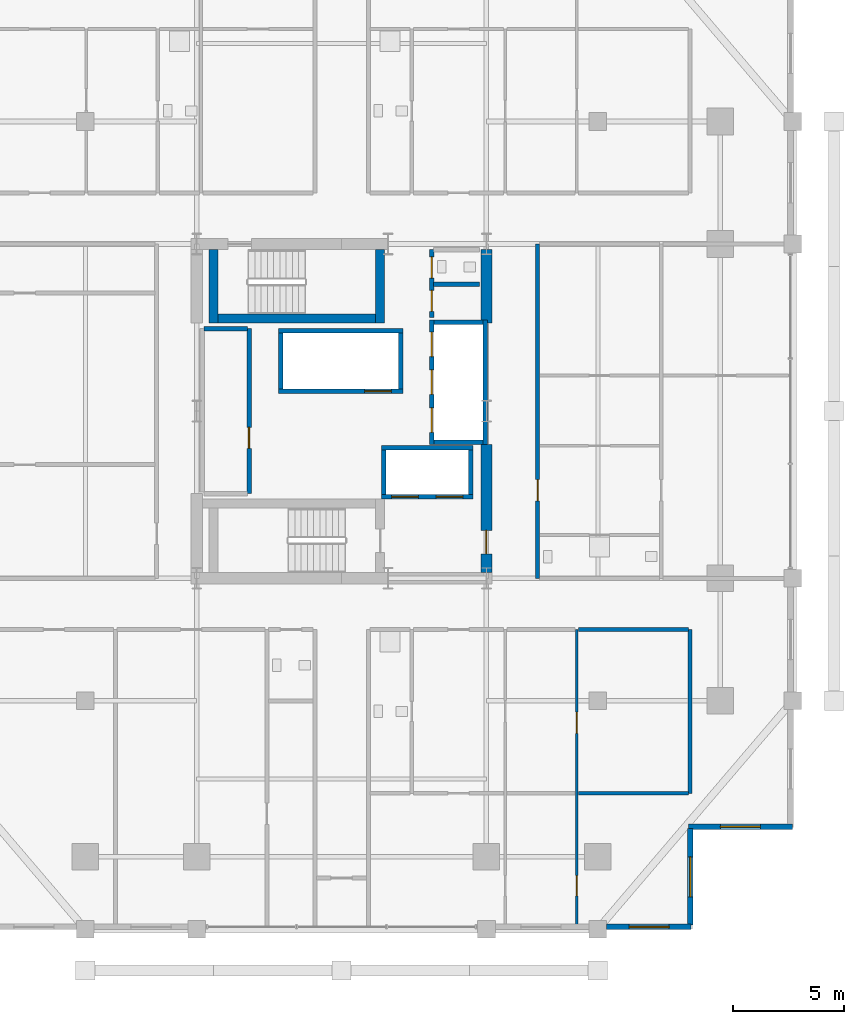
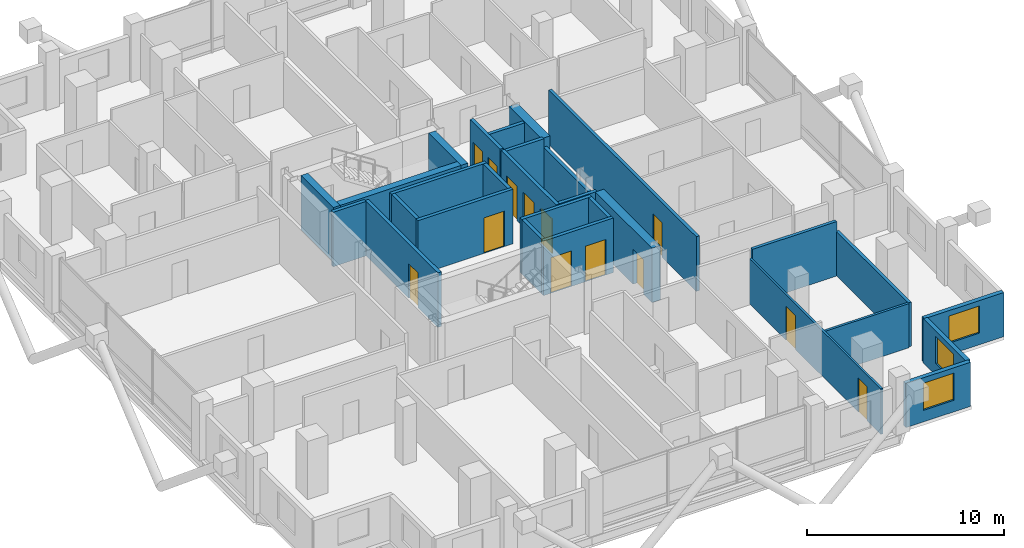
# One storey, part 18 of 23: 29 walls, 13 doors, 3 windows, 16 openings.
"""IFC4 building model written with IfcOpenShell, lengths in metres."""

from ifc_helpers import new_model, si_unit, direction, frame, frame_2d, origin, place, context, subcontext, project, spatial, rectangle, extrude, material, layer, layer_set, type_object, element, fill, save


model = new_model("IFC4")

# Units and contexts
model_context = context("Model", 3, precision=1e-05, world=origin(), true_north=direction((0.0, 1.0)))
body_context = subcontext(model_context, "Body", "Model", "MODEL_VIEW")
ifc_project = project(units=[si_unit("LENGTHUNIT", "METRE"), si_unit("AREAUNIT", "SQUARE_METRE"), si_unit("VOLUMEUNIT", "CUBIC_METRE"), si_unit("PLANEANGLEUNIT", "RADIAN"), si_unit("MASSUNIT", "GRAM", prefix="KILO")], contexts=[model_context])

# Site, building, storey
site_placement = place(None, origin())
site = spatial("IfcSite", under=ifc_project, at=site_placement, CompositionType="ELEMENT")
building_placement = place(site_placement, origin())
building = spatial("IfcBuilding", under=site, at=building_placement, Name="Barlavira Tower and Art Museum", CompositionType="ELEMENT")
storey_placement = place(building_placement, frame((0.0, 0.0, 151.199951171875)))
storey = spatial("IfcBuildingStorey", under=building, at=storey_placement, Name="L38", CompositionType="ELEMENT", Elevation=151.199951171875)

# Wall, openings, doors
ifc_material_1 = material(Name="Gypsum acoustic stud partition", Category="gypsum")
ifc_layer_1 = layer(ifc_material_1, 0.1201171875, Name="Gypsum acoustic stud partition")
ifc_layer_set_1 = layer_set([ifc_layer_1], Name="Gypsum acoustic stud partition")
wall_type_1 = type_object("IfcWallType", Name="Apartment Internal Acoustic Partition 120", PredefinedType="PARTITIONING", material=ifc_layer_set_1)
wall_1_placement = place(storey_placement, frame((10.550048828125, -23.14990234375, 0.0), z_axis=(0.0, 0.0, 1.0), x_axis=(0.0, 1.0, 0.0)))
wall_1 = element("IfcWall", 1, at=wall_1_placement, inside=storey, type_object=wall_type_1, Name="L38 Partition Wall 20", PredefinedType="PARTITIONING", context=body_context, shape_type="SweptSolid", body=[
    extrude(rectangle(XDim=13.349853515625, YDim=0.1201171875, at=frame_2d((6.6748046875, 0.0))), origin(), (0.0, 0.0, 1.0), 2.816162109375),
])
opening_1_placement = place(wall_1_placement, frame((8.686767578125, 0.0, 0.0)))
opening_1 = element("IfcOpeningElement", 2, at=opening_1_placement, cuts=wall_1, Name="Opening D-02", PredefinedType="OPENING", context=body_context, shape_type="SweptSolid", body=[
    extrude(rectangle(XDim=0.949951171875, YDim=2.10009765625, at=frame_2d((0.47509765625, 1.050048828125))), frame((0.0, 0.070068359375, 0.0), z_axis=(0.0, -1.0, 0.0), x_axis=(1.0, 0.0, 0.0)), (0.0, 0.0, 1.0), 0.14013671875),
])
opening_2_placement = place(wall_1_placement, frame((1.39892578125, 0.0, 0.0)))
opening_2 = element("IfcOpeningElement", 3, at=opening_2_placement, cuts=wall_1, Name="Opening D-01", PredefinedType="OPENING", context=body_context, shape_type="SweptSolid", body=[
    extrude(rectangle(XDim=0.89990234375, YDim=2.10009765625, at=frame_2d((0.449951171875, 1.050048828125))), frame((0.0, 0.070068359375, 0.0), z_axis=(0.0, -1.0, 0.0), x_axis=(1.0, 0.0, 0.0)), (0.0, 0.0, 1.0), 0.14013671875),
])
ifc_material_2 = material(Name="Engineered coastal hardwood", Category="wood")
door_type_1 = type_object("IfcDoorType", Name="Internal Bedroom Timber Flush Door 900x2100", OperationType="NOTDEFINED", PredefinedType="DOOR", material=ifc_material_2)
door_1_placement = place(opening_2_placement, origin())
door_1 = element("IfcDoor", 4, at=door_1_placement, inside=storey, type_object=door_type_1, Name="Apartment SE1 Bedroom 2 Door", OperationType="SINGLE_SWING_LEFT", OverallHeight=2.10009765625, OverallWidth=0.89990234375, PredefinedType="DOOR", context=body_context, shape_type="SweptSolid", body=[
    extrude(rectangle(XDim=0.89990234375, YDim=2.10009765625, at=frame_2d((0.449951171875, 1.050048828125))), frame((0.0, 0.02490234375, 0.0), z_axis=(0.0, -1.0, 0.0), x_axis=(1.0, 0.0, 0.0)), (0.0, 0.0, 1.0), 0.050048828125),
])
fill(opening_2, door_1)
door_type_2 = type_object("IfcDoorType", Name="Living and Salon Glazed-Leaf Door 950x2100", OperationType="NOTDEFINED", PredefinedType="DOOR", material=ifc_material_2)
door_2_placement = place(opening_1_placement, origin())
door_2 = element("IfcDoor", 5, at=door_2_placement, inside=storey, type_object=door_type_2, Name="Apartment SE1 Dining Salon Door", OperationType="SINGLE_SWING_RIGHT", OverallHeight=2.10009765625, OverallWidth=0.949951171875, PredefinedType="DOOR", context=body_context, shape_type="SweptSolid", body=[
    extrude(rectangle(XDim=0.949951171875, YDim=2.10009765625, at=frame_2d((0.47509765625, 1.050048828125))), frame((0.0, 0.02490234375, 0.0), z_axis=(0.0, -1.0, 0.0), x_axis=(1.0, 0.0, 0.0)), (0.0, 0.0, 1.0), 0.050048828125),
])
fill(opening_1, door_2)

# Wall, opening, door
ifc_material_3 = material(Name="Concrete C60", Category="concrete")
ifc_layer_2 = layer(ifc_material_3, 0.5, Name="Concrete C60")
ifc_layer_set_2 = layer_set([ifc_layer_2], Name="Concrete C60")
wall_type_2 = type_object("IfcWallType", Name="Core Structural Shear Wall 500 Concrete C60", PredefinedType="SHEAR", material=ifc_layer_set_2)
wall_2_placement = place(storey_placement, frame((6.5, -7.25, 0.0), z_axis=(0.0, 0.0, 1.0), x_axis=(0.0, 1.0, 0.0)))
wall_2 = element("IfcWall", 6, at=wall_2_placement, inside=storey, type_object=wall_type_2, Name="L38 Core Shear Wall CS-E1", PredefinedType="SHEAR", context=body_context, shape_type="SweptSolid", body=[
    extrude(rectangle(XDim=5.75, YDim=0.5, at=frame_2d((2.875, 0.0))), origin(), (0.0, 0.0, 1.0), 3.380126953125),
])
opening_3_placement = place(wall_2_placement, frame((0.85009765625, 0.0, 0.0)))
opening_3 = element("IfcOpeningElement", 7, at=opening_3_placement, cuts=wall_2, Name="Opening FD-90", PredefinedType="OPENING", context=body_context, shape_type="SweptSolid", body=[
    extrude(rectangle(XDim=1.050048828125, YDim=2.14990234375, at=frame_2d((0.52490234375, 1.074951171875))), frame((0.0, 0.260009765625, 0.0), z_axis=(0.0, -1.0, 0.0), x_axis=(1.0, 0.0, 0.0)), (0.0, 0.0, 1.0), 0.52001953125),
])
ifc_material_4 = material(Name="Brushed stainless steel", Category="steel")
door_type_3 = type_object("IfcDoorType", Name="Stair and Refuge Fire Door 1050x2150 FD90S", OperationType="NOTDEFINED", PredefinedType="DOOR", material=ifc_material_4)
door_3_placement = place(opening_3_placement, origin())
door_3 = element("IfcDoor", 8, at=door_3_placement, inside=storey, type_object=door_type_3, Name="L38 Firefighting Lobby Entry Fire Door", OperationType="SINGLE_SWING_LEFT", OverallHeight=2.14990234375, OverallWidth=1.050048828125, PredefinedType="DOOR", context=body_context, shape_type="SweptSolid", body=[
    extrude(rectangle(XDim=1.050048828125, YDim=2.14990234375, at=frame_2d((0.52490234375, 1.074951171875))), frame((0.0, 0.02490234375, 0.0), z_axis=(0.0, -1.0, 0.0), x_axis=(1.0, 0.0, 0.0)), (0.0, 0.0, 1.0), 0.050048828125),
])
fill(opening_3, door_3)

# Wall
wall_3_placement = place(storey_placement, frame((6.5, 3.949951171875, 0.0), z_axis=(0.0, 0.0, 1.0), x_axis=(0.0, 1.0, 0.0)))
element("IfcWall", 9, at=wall_3_placement, inside=storey, type_object=wall_type_2, Name="L38 Core Shear Wall CS-E2", PredefinedType="SHEAR", context=body_context, shape_type="SweptSolid", body=[
    extrude(rectangle(XDim=3.300048828125, YDim=0.5, at=frame_2d((1.64990234375, 0.0))), origin(), (0.0, 0.0, 1.0), 3.380126953125),
])

# Wall, openings, doors
ifc_material_5 = material(Name="Autoclaved aerated concrete masonry", Category="masonry")
ifc_layer_3 = layer(ifc_material_5, 0.199951171875, Name="Autoclaved aerated concrete masonry")
ifc_layer_set_3 = layer_set([ifc_layer_3], Name="Autoclaved aerated concrete masonry")
wall_type_3 = type_object("IfcWallType", Name="Fire Compartment and Shaft Wall 200", PredefinedType="SOLIDWALL", material=ifc_layer_set_3)
wall_4_placement = place(storey_placement, frame((4.050048828125, -1.489990234375, 0.0), z_axis=(0.0, 0.0, 1.0), x_axis=(0.0, 1.0, 0.0)))
wall_4 = element("IfcWall", 10, at=wall_4_placement, inside=storey, type_object=wall_type_3, Name="L38 Mid-Rise Lift Front Shaft Wall", PredefinedType="SOLIDWALL", context=body_context, shape_type="SweptSolid", body=[
    extrude(rectangle(XDim=5.580078125, YDim=0.199951171875, at=frame_2d((2.7900390625, 0.0))), origin(), (0.0, 0.0, 1.0), 3.380126953125),
])
opening_4_placement = place(wall_4_placement, frame((0.5400390625, 0.0, 0.0)))
opening_4 = element("IfcOpeningElement", 11, at=opening_4_placement, cuts=wall_4, Name="Opening LD-P", PredefinedType="OPENING", context=body_context, shape_type="SweptSolid", body=[
    extrude(rectangle(XDim=1.10009765625, YDim=2.14990234375, at=frame_2d((0.550048828125, 1.074951171875))), frame((0.0, 0.10986328125, 0.0), z_axis=(0.0, -1.0, 0.0), x_axis=(1.0, 0.0, 0.0)), (0.0, 0.0, 1.0), 0.219970703125),
])
opening_5_placement = place(wall_4_placement, frame((2.239990234375, 0.0, 0.0)))
opening_5 = element("IfcOpeningElement", 12, at=opening_5_placement, cuts=wall_4, Name="Opening LD-P", PredefinedType="OPENING", context=body_context, shape_type="SweptSolid", body=[
    extrude(rectangle(XDim=1.10009765625, YDim=2.14990234375, at=frame_2d((0.550048828125, 1.074951171875))), frame((0.0, 0.10986328125, 0.0), z_axis=(0.0, -1.0, 0.0), x_axis=(1.0, 0.0, 0.0)), (0.0, 0.0, 1.0), 0.219970703125),
])
opening_6_placement = place(wall_4_placement, frame((3.93994140625, 0.0, 0.0)))
opening_6 = element("IfcOpeningElement", 13, at=opening_6_placement, cuts=wall_4, Name="Opening LD-P", PredefinedType="OPENING", context=body_context, shape_type="SweptSolid", body=[
    extrude(rectangle(XDim=1.10009765625, YDim=2.14990234375, at=frame_2d((0.550048828125, 1.074951171875))), frame((0.0, 0.10986328125, 0.0), z_axis=(0.0, -1.0, 0.0), x_axis=(1.0, 0.0, 0.0)), (0.0, 0.0, 1.0), 0.219970703125),
])
door_type_4 = type_object("IfcDoorType", Name="Passenger Lift Sliding Landing Door 1100x2150 FD60", OperationType="NOTDEFINED", PredefinedType="DOOR", material=ifc_material_4)
door_4_placement = place(opening_4_placement, origin())
door_4 = element("IfcDoor", 14, at=door_4_placement, inside=storey, type_object=door_type_4, Name="L38 Lift PM1 Sliding Landing Door", OperationType="DOUBLE_DOOR_SLIDING", OverallHeight=2.14990234375, OverallWidth=1.10009765625, PredefinedType="DOOR", context=body_context, shape_type="SweptSolid", body=[
    extrude(rectangle(XDim=1.10009765625, YDim=2.14990234375, at=frame_2d((0.550048828125, 1.074951171875))), frame((0.0, 0.02490234375, 0.0), z_axis=(0.0, -1.0, 0.0), x_axis=(1.0, 0.0, 0.0)), (0.0, 0.0, 1.0), 0.050048828125),
])
fill(opening_4, door_4)
door_5_placement = place(opening_5_placement, origin())
door_5 = element("IfcDoor", 15, at=door_5_placement, inside=storey, type_object=door_type_4, Name="L38 Lift PM2 Sliding Landing Door", OperationType="DOUBLE_DOOR_SLIDING", OverallHeight=2.14990234375, OverallWidth=1.10009765625, PredefinedType="DOOR", context=body_context, shape_type="SweptSolid", body=[
    extrude(rectangle(XDim=1.10009765625, YDim=2.14990234375, at=frame_2d((0.550048828125, 1.074951171875))), frame((0.0, 0.02490234375, 0.0), z_axis=(0.0, -1.0, 0.0), x_axis=(1.0, 0.0, 0.0)), (0.0, 0.0, 1.0), 0.050048828125),
])
fill(opening_5, door_5)
door_6_placement = place(opening_6_placement, origin())
door_6 = element("IfcDoor", 16, at=door_6_placement, inside=storey, type_object=door_type_4, Name="L38 Lift PM3 Sliding Landing Door", OperationType="DOUBLE_DOOR_SLIDING", OverallHeight=2.14990234375, OverallWidth=1.10009765625, PredefinedType="DOOR", context=body_context, shape_type="SweptSolid", body=[
    extrude(rectangle(XDim=1.10009765625, YDim=2.14990234375, at=frame_2d((0.550048828125, 1.074951171875))), frame((0.0, 0.02490234375, 0.0), z_axis=(0.0, -1.0, 0.0), x_axis=(1.0, 0.0, 0.0)), (0.0, 0.0, 1.0), 0.050048828125),
])
fill(opening_6, door_6)

# Walls
wall_5_placement = place(storey_placement, frame((6.449951171875, -1.489990234375, 0.0), z_axis=(0.0, 0.0, 1.0), x_axis=(0.0, 1.0, 0.0)))
element("IfcWall", 17, at=wall_5_placement, inside=storey, type_object=wall_type_3, Name="L38 Mid-Rise Lift Back Shaft Wall", PredefinedType="SOLIDWALL", context=body_context, shape_type="SweptSolid", body=[
    extrude(rectangle(XDim=5.580078125, YDim=0.199951171875, at=frame_2d((2.7900390625, 0.0))), origin(), (0.0, 0.0, 1.0), 2.816162109375),
])
for number, where, z_axis, x_axis, name in (
    (18, (4.14990234375, -1.389892578125, 0.0), (0.0, 0.0, 1.0), (1.0, 0.0, 0.0), "L38 Mid-Rise Lift South Shaft Wall"),
    (19, (4.14990234375, 3.989990234375, 0.0), (0.0, 0.0, 1.0), (1.0, 0.0, 0.0), "L38 Mid-Rise Lift North Shaft Wall"),
):
    element("IfcWall", number, at=place(storey_placement, frame(where, z_axis=z_axis, x_axis=x_axis)), inside=storey, type_object=wall_type_3, Name=name, PredefinedType="SOLIDWALL", context=body_context, shape_type="SweptSolid", body=[
        extrude(rectangle(XDim=2.2001953125, YDim=0.199951171875, at=frame_2d((1.10009765625, 0.0))), origin(), (0.0, 0.0, 1.0), 3.380126953125),
    ])

# Wall, opening, door
wall_6_placement = place(storey_placement, frame((-2.820068359375, 0.89990234375, 0.0), z_axis=(0.0, 0.0, 1.0), x_axis=(1.0, 0.0, 0.0)))
wall_6 = element("IfcWall", 20, at=wall_6_placement, inside=storey, type_object=wall_type_3, Name="L38 High-Rise & Service Lift Front Wall", PredefinedType="SOLIDWALL", context=body_context, shape_type="SweptSolid", body=[
    extrude(rectangle(XDim=5.580078125, YDim=0.199951171875, at=frame_2d((2.7900390625, 0.0))), origin(), (0.0, 0.0, 1.0), 3.380126953125),
])
opening_7_placement = place(wall_6_placement, frame((3.860107421875, 0.0, 0.0)))
opening_7 = element("IfcOpeningElement", 21, at=opening_7_placement, cuts=wall_6, Name="Opening LD-F", PredefinedType="OPENING", context=body_context, shape_type="SweptSolid", body=[
    extrude(rectangle(XDim=1.199951171875, YDim=2.199951171875, at=frame_2d((0.60009765625, 1.10009765625))), frame((0.0, 0.10986328125, 0.0), z_axis=(0.0, -1.0, 0.0), x_axis=(1.0, 0.0, 0.0)), (0.0, 0.0, 1.0), 0.219970703125),
])
door_type_5 = type_object("IfcDoorType", Name="Firefighting and Service Lift Sliding Door 1200x2200 FD120", OperationType="NOTDEFINED", PredefinedType="DOOR", material=ifc_material_4)
door_7_placement = place(opening_7_placement, origin())
door_7 = element("IfcDoor", 22, at=door_7_placement, inside=storey, type_object=door_type_5, Name="L38 Stretcher Service Lift SL1 Sliding Door", OperationType="DOUBLE_DOOR_SLIDING", OverallHeight=2.199951171875, OverallWidth=1.199951171875, PredefinedType="DOOR", context=body_context, shape_type="SweptSolid", body=[
    extrude(rectangle(XDim=1.199951171875, YDim=2.199951171875, at=frame_2d((0.60009765625, 1.10009765625))), frame((0.0, 0.02490234375, 0.0), z_axis=(0.0, -1.0, 0.0), x_axis=(1.0, 0.0, 0.0)), (0.0, 0.0, 1.0), 0.050048828125),
])
fill(opening_7, door_7)

# Walls
wall_7_placement = place(storey_placement, frame((-2.820068359375, 3.60009765625, 0.0), z_axis=(0.0, 0.0, 1.0), x_axis=(1.0, 0.0, 0.0)))
element("IfcWall", 23, at=wall_7_placement, inside=storey, type_object=wall_type_3, Name="L38 High-Rise & Service Lift Back Wall", PredefinedType="SOLIDWALL", context=body_context, shape_type="SweptSolid", body=[
    extrude(rectangle(XDim=5.580078125, YDim=0.199951171875, at=frame_2d((2.7900390625, 0.0))), origin(), (0.0, 0.0, 1.0), 3.380126953125),
])
for number, where, z_axis, x_axis, name in (
    (24, (-2.719970703125, 1.0, 0.0), (0.0, 0.0, 1.0), (0.0, 1.0, 0.0), "L38 High-Rise & Service Lift West Wall"),
    (25, (2.659912109375, 1.0, 0.0), (0.0, 0.0, 1.0), (0.0, 1.0, 0.0), "L38 High-Rise & Service Lift East Wall"),
):
    element("IfcWall", number, at=place(storey_placement, frame(where, z_axis=z_axis, x_axis=x_axis)), inside=storey, type_object=wall_type_3, Name=name, PredefinedType="SOLIDWALL", context=body_context, shape_type="SweptSolid", body=[
        extrude(rectangle(XDim=2.5, YDim=0.199951171875, at=frame_2d((1.25, 0.0))), origin(), (0.0, 0.0, 1.0), 3.380126953125),
    ])

# Wall, openings, doors
wall_8_placement = place(storey_placement, frame((1.800048828125, -3.85009765625, 0.0), z_axis=(0.0, 0.0, 1.0), x_axis=(1.0, 0.0, 0.0)))
wall_8 = element("IfcWall", 26, at=wall_8_placement, inside=storey, type_object=wall_type_3, Name="L38 Firefighting Lift Front Shaft Wall", PredefinedType="SOLIDWALL", context=body_context, shape_type="SweptSolid", body=[
    extrude(rectangle(XDim=4.099853515625, YDim=0.199951171875, at=frame_2d((2.0498046875, 0.0))), origin(), (0.0, 0.0, 1.0), 3.380126953125),
])
opening_8_placement = place(wall_8_placement, frame((0.449951171875, 0.0, 0.0)))
opening_8 = element("IfcOpeningElement", 27, at=opening_8_placement, cuts=wall_8, Name="Opening LD-F", PredefinedType="OPENING", context=body_context, shape_type="SweptSolid", body=[
    extrude(rectangle(XDim=1.199951171875, YDim=2.199951171875, at=frame_2d((0.60009765625, 1.10009765625))), frame((0.0, 0.10986328125, 0.0), z_axis=(0.0, -1.0, 0.0), x_axis=(1.0, 0.0, 0.0)), (0.0, 0.0, 1.0), 0.219970703125),
])
opening_9_placement = place(wall_8_placement, frame((2.449951171875, 0.0, 0.0)))
opening_9 = element("IfcOpeningElement", 28, at=opening_9_placement, cuts=wall_8, Name="Opening LD-F", PredefinedType="OPENING", context=body_context, shape_type="SweptSolid", body=[
    extrude(rectangle(XDim=1.199951171875, YDim=2.199951171875, at=frame_2d((0.60009765625, 1.10009765625))), frame((0.0, 0.10986328125, 0.0), z_axis=(0.0, -1.0, 0.0), x_axis=(1.0, 0.0, 0.0)), (0.0, 0.0, 1.0), 0.219970703125),
])
door_8_placement = place(opening_8_placement, origin())
door_8 = element("IfcDoor", 29, at=door_8_placement, inside=storey, type_object=door_type_5, Name="L38 Firefighting Lift FF1 Sliding Door", OperationType="DOUBLE_DOOR_SLIDING", OverallHeight=2.199951171875, OverallWidth=1.199951171875, PredefinedType="DOOR", context=body_context, shape_type="SweptSolid", body=[
    extrude(rectangle(XDim=1.199951171875, YDim=2.199951171875, at=frame_2d((0.60009765625, 1.10009765625))), frame((0.0, 0.02490234375, 0.0), z_axis=(0.0, -1.0, 0.0), x_axis=(1.0, 0.0, 0.0)), (0.0, 0.0, 1.0), 0.050048828125),
])
fill(opening_8, door_8)
door_9_placement = place(opening_9_placement, origin())
door_9 = element("IfcDoor", 30, at=door_9_placement, inside=storey, type_object=door_type_5, Name="L38 Firefighting Lift FF2 Sliding Door", OperationType="DOUBLE_DOOR_SLIDING", OverallHeight=2.199951171875, OverallWidth=1.199951171875, PredefinedType="DOOR", context=body_context, shape_type="SweptSolid", body=[
    extrude(rectangle(XDim=1.199951171875, YDim=2.199951171875, at=frame_2d((0.60009765625, 1.10009765625))), frame((0.0, 0.02490234375, 0.0), z_axis=(0.0, -1.0, 0.0), x_axis=(1.0, 0.0, 0.0)), (0.0, 0.0, 1.0), 0.050048828125),
])
fill(opening_9, door_9)

# Walls
wall_9_placement = place(storey_placement, frame((1.800048828125, -1.64990234375, 0.0), z_axis=(0.0, 0.0, 1.0), x_axis=(1.0, 0.0, 0.0)))
element("IfcWall", 31, at=wall_9_placement, inside=storey, type_object=wall_type_3, Name="L38 Firefighting Lift Back Shaft Wall", PredefinedType="SOLIDWALL", context=body_context, shape_type="SweptSolid", body=[
    extrude(rectangle(XDim=4.099853515625, YDim=0.199951171875, at=frame_2d((2.0498046875, 0.0))), origin(), (0.0, 0.0, 1.0), 3.380126953125),
])
for number, where, z_axis, x_axis, name in (
    (32, (1.89990234375, -3.75, 0.0), (0.0, 0.0, 1.0), (0.0, 1.0, 0.0), "L38 Firefighting Lift West Shaft Wall"),
    (33, (5.800048828125, -3.75, 0.0), (0.0, 0.0, 1.0), (0.0, 1.0, 0.0), "L38 Firefighting Lift East Shaft Wall"),
):
    element("IfcWall", number, at=place(storey_placement, frame(where, z_axis=z_axis, x_axis=x_axis)), inside=storey, type_object=wall_type_3, Name=name, PredefinedType="SOLIDWALL", context=body_context, shape_type="SweptSolid", body=[
        extrude(rectangle(XDim=2.0, YDim=0.199951171875, at=frame_2d((1.0, 0.0))), origin(), (0.0, 0.0, 1.0), 3.380126953125),
    ])

# Wall, opening, door
wall_10_placement = place(storey_placement, frame((-4.14990234375, -3.699951171875, 0.0), z_axis=(0.0, 0.0, 1.0), x_axis=(0.0, 1.0, 0.0)))
wall_10 = element("IfcWall", 34, at=wall_10_placement, inside=storey, type_object=wall_type_3, Name="L38 Partition Wall 8", PredefinedType="SOLIDWALL", context=body_context, shape_type="SweptSolid", body=[
    extrude(rectangle(XDim=7.39990234375, YDim=0.199951171875, at=frame_2d((3.699951171875, 0.0))), origin(), (0.0, 0.0, 1.0), 3.380126953125),
])
opening_10_placement = place(wall_10_placement, frame((2.02490234375, 0.0, 0.0)))
opening_10 = element("IfcOpeningElement", 35, at=opening_10_placement, cuts=wall_10, Name="Opening FD-60", PredefinedType="OPENING", context=body_context, shape_type="SweptSolid", body=[
    extrude(rectangle(XDim=0.949951171875, YDim=2.14990234375, at=frame_2d((0.47509765625, 1.074951171875))), frame((0.0, 0.10986328125, 0.0), z_axis=(0.0, -1.0, 0.0), x_axis=(1.0, 0.0, 0.0)), (0.0, 0.0, 1.0), 0.219970703125),
])
door_type_6 = type_object("IfcDoorType", Name="Apartment Entrance and Riser Fire Door 950x2150 FD60S", OperationType="NOTDEFINED", PredefinedType="DOOR", material=ifc_material_4)
door_10_placement = place(opening_10_placement, origin())
door_10 = element("IfcDoor", 36, at=door_10_placement, inside=storey, type_object=door_type_6, Name="Reclaimed Core Tenant Storage Vault Door", OperationType="SINGLE_SWING_LEFT", OverallHeight=2.14990234375, OverallWidth=0.949951171875, PredefinedType="DOOR", context=body_context, shape_type="SweptSolid", body=[
    extrude(rectangle(XDim=0.949951171875, YDim=2.14990234375, at=frame_2d((0.47509765625, 1.074951171875))), frame((0.0, 0.02490234375, 0.0), z_axis=(0.0, -1.0, 0.0), x_axis=(1.0, 0.0, 0.0)), (0.0, 0.0, 1.0), 0.050048828125),
])
fill(opening_10, door_10)

# Wall, openings, doors
wall_11_placement = place(storey_placement, frame((4.050048828125, 4.199951171875, 0.0), z_axis=(0.0, 0.0, 1.0), x_axis=(0.0, 1.0, 0.0)))
wall_11 = element("IfcWall", 37, at=wall_11_placement, inside=storey, type_object=wall_type_3, Name="L38 Partition Wall 16", PredefinedType="SOLIDWALL", context=body_context, shape_type="SweptSolid", body=[
    extrude(rectangle(XDim=3.050048828125, YDim=0.199951171875, at=frame_2d((1.52490234375, 0.0))), origin(), (0.0, 0.0, 1.0), 3.380126953125),
])
opening_11_placement = place(wall_11_placement, frame((0.27490234375, 0.0, 0.0)))
opening_11 = element("IfcOpeningElement", 38, at=opening_11_placement, cuts=wall_11, Name="Opening FD-60", PredefinedType="OPENING", context=body_context, shape_type="SweptSolid", body=[
    extrude(rectangle(XDim=0.949951171875, YDim=2.14990234375, at=frame_2d((0.47509765625, 1.074951171875))), frame((0.0, 0.10986328125, 0.0), z_axis=(0.0, -1.0, 0.0), x_axis=(1.0, 0.0, 0.0)), (0.0, 0.0, 1.0), 0.219970703125),
])
opening_12_placement = place(wall_11_placement, frame((1.77490234375, 0.0, 0.0)))
opening_12 = element("IfcOpeningElement", 39, at=opening_12_placement, cuts=wall_11, Name="Opening FD-60", PredefinedType="OPENING", context=body_context, shape_type="SweptSolid", body=[
    extrude(rectangle(XDim=0.949951171875, YDim=2.14990234375, at=frame_2d((0.47509765625, 1.074951171875))), frame((0.0, 0.10986328125, 0.0), z_axis=(0.0, -1.0, 0.0), x_axis=(1.0, 0.0, 0.0)), (0.0, 0.0, 1.0), 0.219970703125),
])
door_11_placement = place(opening_11_placement, origin())
door_11 = element("IfcDoor", 40, at=door_11_placement, inside=storey, type_object=door_type_6, Name="Electrical Switchgear Room Door", OperationType="SINGLE_SWING_RIGHT", OverallHeight=2.14990234375, OverallWidth=0.949951171875, PredefinedType="DOOR", context=body_context, shape_type="SweptSolid", body=[
    extrude(rectangle(XDim=0.949951171875, YDim=2.14990234375, at=frame_2d((0.47509765625, 1.074951171875))), frame((0.0, 0.02490234375, 0.0), z_axis=(0.0, -1.0, 0.0), x_axis=(1.0, 0.0, 0.0)), (0.0, 0.0, 1.0), 0.050048828125),
])
fill(opening_11, door_11)
door_12_placement = place(opening_12_placement, origin())
door_12 = element("IfcDoor", 41, at=door_12_placement, inside=storey, type_object=door_type_6, Name="Core Staff Toilet Door", OperationType="SINGLE_SWING_LEFT", OverallHeight=2.14990234375, OverallWidth=0.949951171875, PredefinedType="DOOR", context=body_context, shape_type="SweptSolid", body=[
    extrude(rectangle(XDim=0.949951171875, YDim=2.14990234375, at=frame_2d((0.47509765625, 1.074951171875))), frame((0.0, 0.02490234375, 0.0), z_axis=(0.0, -1.0, 0.0), x_axis=(1.0, 0.0, 0.0)), (0.0, 0.0, 1.0), 0.050048828125),
])
fill(opening_12, door_12)

# Walls
wall_12_placement = place(storey_placement, frame((-6.169921875, 3.699951171875, 0.0), z_axis=(0.0, 0.0, 1.0), x_axis=(1.0, 0.0, 0.0)))
element("IfcWall", 42, at=wall_12_placement, inside=storey, type_object=wall_type_3, Name="L38 Partition Wall 47", PredefinedType="SOLIDWALL", context=body_context, shape_type="SweptSolid", body=[
    extrude(rectangle(XDim=1.93994140625, YDim=0.199951171875, at=frame_2d((0.969970703125, 0.0))), origin(), (0.0, 0.0, 1.0), 3.380126953125),
])
wall_13_placement = place(storey_placement, frame((4.1298828125, 5.699951171875, 0.0), z_axis=(0.0, 0.0, 1.0), x_axis=(1.0, 0.0, 0.0)))
element("IfcWall", 43, at=wall_13_placement, inside=storey, type_object=wall_type_3, Name="L38 Partition Wall 49", PredefinedType="SOLIDWALL", context=body_context, shape_type="SweptSolid", body=[
    extrude(rectangle(XDim=2.070068359375, YDim=0.199951171875, at=frame_2d((1.03515625, 0.0))), origin(), (0.0, 0.0, 1.0), 3.380126953125),
])

# Wall, opening, door
ifc_layer_4 = layer(ifc_material_1, 0.179931640625, Name="Gypsum acoustic stud partition")
ifc_layer_set_4 = layer_set([ifc_layer_4], Name="Gypsum acoustic stud partition")
wall_type_4 = type_object("IfcWallType", Name="Inter-Tenancy Party Partition Wall 180", PredefinedType="PARTITIONING", material=ifc_layer_set_4)
wall_14_placement = place(storey_placement, frame((8.800048828125, -7.5, 0.0), z_axis=(0.0, 0.0, 1.0), x_axis=(0.0, 1.0, 0.0)))
wall_14 = element("IfcWall", 44, at=wall_14_placement, inside=storey, type_object=wall_type_4, Name="L38 Partition Wall 19", PredefinedType="PARTITIONING", context=body_context, shape_type="SweptSolid", body=[
    extrude(rectangle(XDim=15.0, YDim=0.179931640625, at=frame_2d((7.5, 0.0))), origin(), (0.0, 0.0, 1.0), 3.380126953125),
])
opening_13_placement = place(wall_14_placement, frame((3.47509765625, 0.0, 0.0)))
opening_13 = element("IfcOpeningElement", 45, at=opening_13_placement, cuts=wall_14, Name="Opening FD-60", PredefinedType="OPENING", context=body_context, shape_type="SweptSolid", body=[
    extrude(rectangle(XDim=0.949951171875, YDim=2.14990234375, at=frame_2d((0.47509765625, 1.074951171875))), frame((0.0, 0.10009765625, 0.0), z_axis=(0.0, -1.0, 0.0), x_axis=(1.0, 0.0, 0.0)), (0.0, 0.0, 1.0), 0.199951171875),
])
door_13_placement = place(opening_13_placement, origin())
door_13 = element("IfcDoor", 46, at=door_13_placement, inside=storey, type_object=door_type_6, Name="Apartment Entrance Hall E1 Door", OperationType="SINGLE_SWING_LEFT", OverallHeight=2.14990234375, OverallWidth=0.949951171875, PredefinedType="DOOR", context=body_context, shape_type="SweptSolid", body=[
    extrude(rectangle(XDim=0.949951171875, YDim=2.14990234375, at=frame_2d((0.47509765625, 1.074951171875))), frame((0.0, 0.02490234375, 0.0), z_axis=(0.0, -1.0, 0.0), x_axis=(1.0, 0.0, 0.0)), (0.0, 0.0, 1.0), 0.050048828125),
])
fill(opening_13, door_13)

# Walls
wall_15_placement = place(storey_placement, frame((15.64990234375, -17.14990234375, 0.0), z_axis=(0.0, 0.0, 1.0), x_axis=(0.0, 1.0, 0.0)))
element("IfcWall", 47, at=wall_15_placement, inside=storey, type_object=wall_type_4, Name="L38 Partition Wall 23", PredefinedType="PARTITIONING", context=body_context, shape_type="SweptSolid", body=[
    extrude(rectangle(XDim=7.349853515625, YDim=0.179931640625, at=frame_2d((3.6748046875, 0.0))), origin(), (0.0, 0.0, 1.0), 2.736083984375),
])
wall_16_placement = place(storey_placement, frame((10.6298828125, -9.800048828125, 0.0), z_axis=(0.0, 0.0, 1.0), x_axis=(1.0, 0.0, 0.0)))
element("IfcWall", 48, at=wall_16_placement, inside=storey, type_object=wall_type_4, Name="L38 Partition Wall 37", PredefinedType="PARTITIONING", context=body_context, shape_type="SweptSolid", body=[
    extrude(rectangle(XDim=4.940185546875, YDim=0.179931640625, at=frame_2d((2.47021484375, 0.0))), origin(), (0.0, 0.0, 1.0), 3.380126953125),
])
ifc_layer_5 = layer(ifc_material_1, 0.139892578125, Name="Gypsum acoustic stud partition")
ifc_layer_set_5 = layer_set([ifc_layer_5], Name="Gypsum acoustic stud partition")
wall_type_5 = type_object("IfcWallType", Name="Moisture-Resistant Bathroom Partition 140", PredefinedType="PARTITIONING", material=ifc_layer_set_5)
wall_17_placement = place(storey_placement, frame((10.6298828125, -17.14990234375, 0.0), z_axis=(0.0, 0.0, 1.0), x_axis=(1.0, 0.0, 0.0)))
element("IfcWall", 49, at=wall_17_placement, inside=storey, type_object=wall_type_5, Name="L38 Partition Wall 29", PredefinedType="PARTITIONING", context=body_context, shape_type="SweptSolid", body=[
    extrude(rectangle(XDim=4.940185546875, YDim=0.139892578125, at=frame_2d((2.47021484375, 0.0))), origin(), (0.0, 0.0, 1.0), 2.736083984375),
])

# Wall, opening, window
ifc_material_6 = material(Name="Precast concrete C40", Category="concrete")
ifc_layer_6 = layer(ifc_material_6, 0.25, Name="Precast concrete C40")
ifc_layer_set_6 = layer_set([ifc_layer_6], Name="Precast concrete C40")
wall_type_6 = type_object("IfcWallType", Name="Notched Corner Spandrel Wall 250 Precast Concrete C40", PredefinedType="SOLIDWALL", material=ifc_layer_set_6)
wall_18_placement = place(storey_placement, frame((11.89501953125, -23.14990234375, 0.0), z_axis=(0.0, 0.0, 1.0), x_axis=(1.0, 0.0, 0.0)))
wall_18 = element("IfcWall", 50, at=wall_18_placement, inside=storey, type_object=wall_type_6, Name="L38 Coastal Facade Pier Wall CW2-L38-S-5", PredefinedType="SOLIDWALL", context=body_context, shape_type="SweptSolid", body=[
    extrude(rectangle(XDim=3.780029296875, YDim=0.25, at=frame_2d((1.89013671875, 0.0))), origin(), (0.0, 0.0, 1.0), 2.736083984375),
])
opening_14_placement = place(wall_18_placement, frame((1.012939453125, 0.0, 0.719970703125)))
opening_14 = element("IfcOpeningElement", 51, at=opening_14_placement, cuts=wall_18, Name="Opening WN-01", PredefinedType="OPENING", context=body_context, shape_type="SweptSolid", body=[
    extrude(rectangle(XDim=1.800048828125, YDim=1.679931640625, at=frame_2d((0.89990234375, 0.83984375))), frame((0.0, 0.135009765625, 0.0), z_axis=(0.0, -1.0, 0.0), x_axis=(1.0, 0.0, 0.0)), (0.0, 0.0, 1.0), 0.27001953125),
])
ifc_material_7 = material(Name="Low-iron coastal laminated glass", Category="glass")
window_type = type_object("IfcWindowType", Name="Recessed Notch Corner Punch Window 1800x1680", PartitioningType="SINGLE_PANEL", PredefinedType="WINDOW", material=ifc_material_7)
window_1_placement = place(opening_14_placement, origin())
window_1 = element("IfcWindow", 52, at=window_1_placement, inside=storey, type_object=window_type, Name="L38 Punched Facade Window EWP-CW2-L38-S-5-1", OverallHeight=1.679931640625, OverallWidth=1.800048828125, PartitioningType="SINGLE_PANEL", PredefinedType="WINDOW", context=body_context, shape_type="SweptSolid", body=[
    extrude(rectangle(XDim=1.800048828125, YDim=1.679931640625, at=frame_2d((0.89990234375, 0.83984375))), frame((0.0, 0.030029296875, 0.0), z_axis=(0.0, -1.0, 0.0), x_axis=(1.0, 0.0, 0.0)), (0.0, 0.0, 1.0), 0.06005859375),
])
fill(opening_14, window_1)

wall_19_placement = place(storey_placement, frame((15.64990234375, -23.070068359375, 0.0), z_axis=(0.0, 0.0, 1.0), x_axis=(0.0, 1.0, 0.0)))
wall_19 = element("IfcWall", 53, at=wall_19_placement, inside=storey, type_object=wall_type_6, Name="L38 Notch Corner Wall SE1", PredefinedType="SOLIDWALL", context=body_context, shape_type="SweptSolid", body=[
    extrude(rectangle(XDim=4.340087890625, YDim=0.25, at=frame_2d((2.169921875, 0.0))), origin(), (0.0, 0.0, 1.0), 2.736083984375),
])
opening_15_placement = place(wall_19_placement, frame((1.27001953125, 0.0, 0.719970703125)))
opening_15 = element("IfcOpeningElement", 54, at=opening_15_placement, cuts=wall_19, Name="Opening WN-01", PredefinedType="OPENING", context=body_context, shape_type="SweptSolid", body=[
    extrude(rectangle(XDim=1.800048828125, YDim=1.679931640625, at=frame_2d((0.89990234375, 0.83984375))), frame((0.0, 0.135009765625, 0.0), z_axis=(0.0, -1.0, 0.0), x_axis=(1.0, 0.0, 0.0)), (0.0, 0.0, 1.0), 0.27001953125),
])
window_2_placement = place(opening_15_placement, origin())
window_2 = element("IfcWindow", 55, at=window_2_placement, inside=storey, type_object=window_type, Name="L38 Punched Facade Window EW-NTC-L38-SE1-1", OverallHeight=1.679931640625, OverallWidth=1.800048828125, PartitioningType="SINGLE_PANEL", PredefinedType="WINDOW", context=body_context, shape_type="SweptSolid", body=[
    extrude(rectangle(XDim=1.800048828125, YDim=1.679931640625, at=frame_2d((0.89990234375, 0.83984375))), frame((0.0, 0.030029296875, 0.0), z_axis=(0.0, -1.0, 0.0), x_axis=(1.0, 0.0, 0.0)), (0.0, 0.0, 1.0), 0.06005859375),
])
fill(opening_15, window_2)

wall_20_placement = place(storey_placement, frame((15.570068359375, -18.64990234375, 0.0), z_axis=(0.0, 0.0, 1.0), x_axis=(1.0, 0.0, 0.0)))
wall_20 = element("IfcWall", 56, at=wall_20_placement, inside=storey, type_object=wall_type_6, Name="L38 Notch Corner Wall SE2", PredefinedType="SOLIDWALL", context=body_context, shape_type="SweptSolid", body=[
    extrude(rectangle(XDim=4.659912109375, YDim=0.25, at=frame_2d((2.330078125, 0.0))), origin(), (0.0, 0.0, 1.0), 2.736083984375),
])
opening_16_placement = place(wall_20_placement, frame((1.429931640625, 0.0, 0.719970703125)))
opening_16 = element("IfcOpeningElement", 57, at=opening_16_placement, cuts=wall_20, Name="Opening WN-01", PredefinedType="OPENING", context=body_context, shape_type="SweptSolid", body=[
    extrude(rectangle(XDim=1.800048828125, YDim=1.679931640625, at=frame_2d((0.89990234375, 0.83984375))), frame((0.0, 0.135009765625, 0.0), z_axis=(0.0, -1.0, 0.0), x_axis=(1.0, 0.0, 0.0)), (0.0, 0.0, 1.0), 0.27001953125),
])
window_3_placement = place(opening_16_placement, origin())
window_3 = element("IfcWindow", 58, at=window_3_placement, inside=storey, type_object=window_type, Name="L38 Punched Facade Window EW-NTC-L38-SE2-1", OverallHeight=1.679931640625, OverallWidth=1.800048828125, PartitioningType="SINGLE_PANEL", PredefinedType="WINDOW", context=body_context, shape_type="SweptSolid", body=[
    extrude(rectangle(XDim=1.800048828125, YDim=1.679931640625, at=frame_2d((0.89990234375, 0.83984375))), frame((0.0, 0.030029296875, 0.0), z_axis=(0.0, -1.0, 0.0), x_axis=(1.0, 0.0, 0.0)), (0.0, 0.0, 1.0), 0.06005859375),
])
fill(opening_16, window_3)

# Walls
ifc_material_8 = material(Name="Concrete C55", Category="concrete")
ifc_layer_7 = layer(ifc_material_8, 0.39990234375, Name="Concrete C55")
ifc_layer_set_7 = layer_set([ifc_layer_7], Name="Concrete C55")
wall_type_7 = type_object("IfcWallType", Name="Upper Core Shear Wall 400 Concrete C55", PredefinedType="SHEAR", material=ifc_layer_set_7)
wall_21_placement = place(storey_placement, frame((-5.550048828125, 4.14990234375, 0.0), z_axis=(0.0, 0.0, 1.0), x_axis=(1.0, 0.0, 0.0)))
element("IfcWall", 59, at=wall_21_placement, inside=storey, type_object=wall_type_7, Name="L38 ST-T2 South Shaft Wall", PredefinedType="SHEAR", context=body_context, shape_type="SweptSolid", body=[
    extrude(rectangle(XDim=7.080078125, YDim=0.39990234375, at=frame_2d((3.5400390625, 0.0))), origin(), (0.0, 0.0, 1.0), 3.380126953125),
])
for number, where, z_axis, x_axis, name in (
    (60, (1.72998046875, 3.949951171875, 0.0), (0.0, 0.0, 1.0), (0.0, 1.0, 0.0), "L38 ST-T2 East Half-Landing Wall"),
    (61, (-5.75, 3.949951171875, 0.0), (0.0, 0.0, 1.0), (0.0, 1.0, 0.0), "L38 ST-T2 West Shaft Wall"),
):
    element("IfcWall", number, at=place(storey_placement, frame(where, z_axis=z_axis, x_axis=x_axis)), inside=storey, type_object=wall_type_7, Name=name, PredefinedType="SHEAR", context=body_context, shape_type="SweptSolid", body=[
        extrude(rectangle(XDim=3.300048828125, YDim=0.39990234375, at=frame_2d((1.64990234375, 0.0))), origin(), (0.0, 0.0, 1.0), 3.380126953125),
    ])

save(model, "model.ifc")
